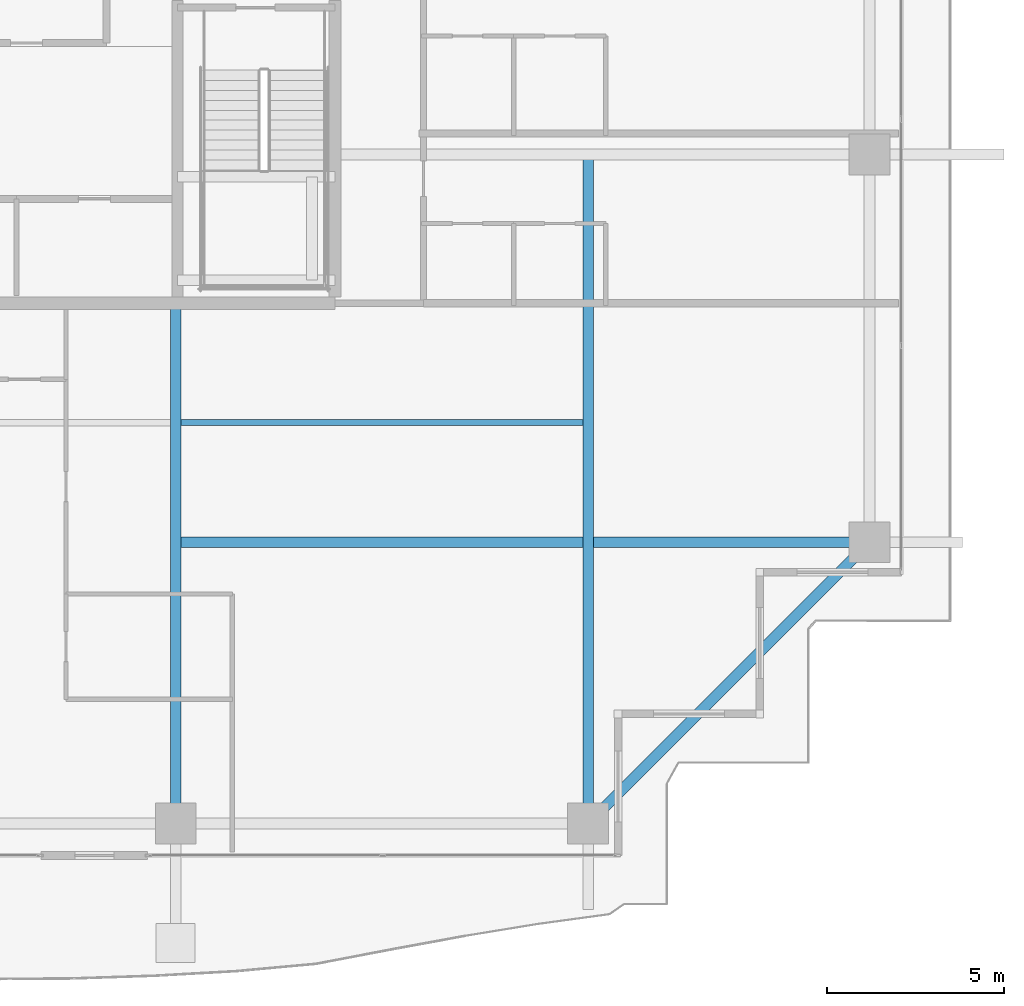
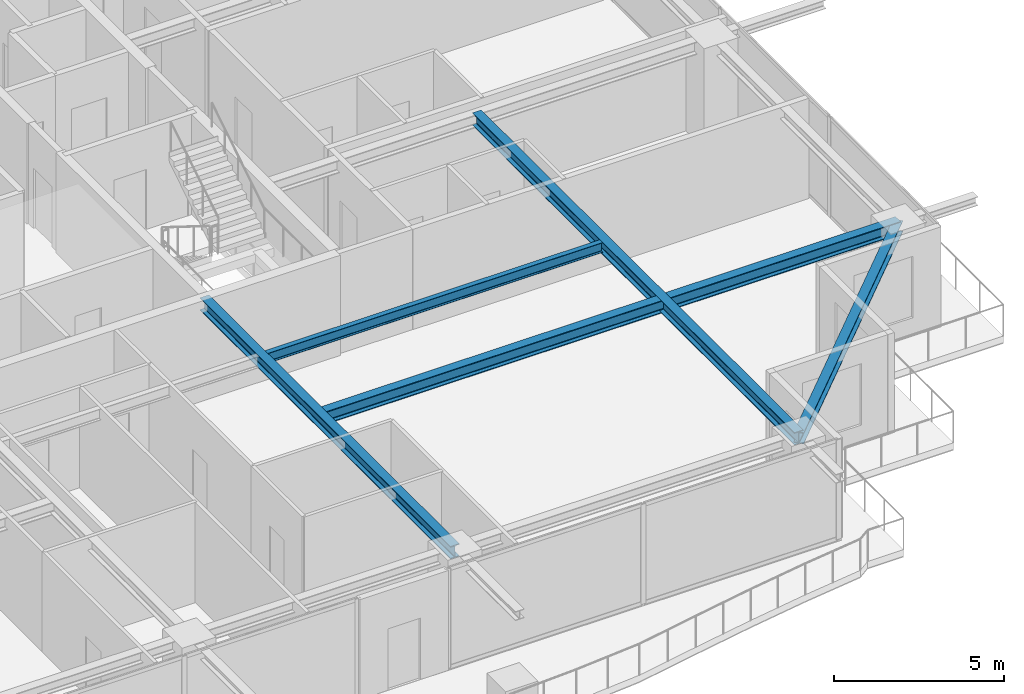
# One storey, part 13 of 36: 5 beams.
"""IFC4 building model written with IfcOpenShell, lengths in metres."""

import ifcopenshell
import ifcopenshell.guid

model = None  # the IFC model being written
_history = None  # IfcOwnerHistory: only IFC2X3 demands one
_inside = {}  # id of a spatial element -> (the spatial element, [elements in it])
_under = {}  # id of a project, library or spatial element -> (it, [spatial elements below it])
_declared = {}  # id of a project -> (the project, [libraries it declares])
_typed = {}  # id of a type object -> (the type object, [elements of that type])
_made_of = {}  # id of a material, layer set ... -> (it, [elements and type objects made of it])


def new_model(schema):
    """Start an empty IFC model of exactly this schema.

    Asked for "IFC4X3", IfcOpenShell would pick the latest addendum, in which some entities
    have other attributes; the version numbers below select the first issue.
    IFC2X3 requires an IfcOwnerHistory on every rooted entity: one is made here for all.
    """
    global model, _history
    if schema == "IFC4X3":
        model = ifcopenshell.file(schema_version=(4, 3, 0, 0))
    else:
        model = ifcopenshell.file(schema=schema)
    _inside.clear()
    _under.clear()
    _declared.clear()
    _typed.clear()
    _made_of.clear()
    _history = None
    if model.schema == "IFC2X3":
        org = make("IfcOrganization", Name="unknown")
        user = make(
            "IfcPersonAndOrganization",
            ThePerson=make("IfcPerson", FamilyName="unknown"),
            TheOrganization=org,
        )
        app = make(
            "IfcApplication",
            ApplicationDeveloper=org,
            Version="unknown",
            ApplicationFullName="unknown",
            ApplicationIdentifier="unknown",
        )
        _history = make(
            "IfcOwnerHistory",
            OwningUser=user,
            OwningApplication=app,
            ChangeAction="ADDED",
            CreationDate=0,
        )
    return model


def make(cls, **values):
    """One entity of the class cls with the attributes given. An attribute that is None is left unset."""
    return model.create_entity(
        cls, **{name: value for name, value in values.items() if value is not None}
    )


def rooted(cls, **values):
    """An entity with a GlobalId (a new one), such as an element, a storey or a relation."""
    return make(cls, GlobalId=ifcopenshell.guid.new(), OwnerHistory=_history, **values)


def si_unit(unit_type, name, prefix=None):
    """IfcSIUnit, for example si_unit("LENGTHUNIT", "METRE", prefix="MILLI")."""
    return make("IfcSIUnit", UnitType=unit_type, Prefix=prefix, Name=name)


def assignment(units):
    """IfcUnitAssignment: the units of a project."""
    return None if units is None else make("IfcUnitAssignment", Units=units)


def point(xyz):
    """IfcCartesianPoint."""
    return None if xyz is None else make("IfcCartesianPoint", Coordinates=xyz)


def direction(xyz):
    """IfcDirection."""
    return None if xyz is None else make("IfcDirection", DirectionRatios=xyz)


def frame(location, z_axis=None, x_axis=None):
    """IfcAxis2Placement3D, a coordinate frame: its origin and axes. An axis left out is left unset."""
    return make(
        "IfcAxis2Placement3D",
        Location=point(location),
        Axis=direction(z_axis),
        RefDirection=direction(x_axis),
    )


def frame_2d(location, x_axis=None):
    """IfcAxis2Placement2D, a coordinate frame in the plane: its origin and x axis."""
    return make(
        "IfcAxis2Placement2D", Location=point(location), RefDirection=direction(x_axis)
    )


def origin():
    """The frame at (0, 0, 0) with its axes left unset."""
    return frame((0.0, 0.0, 0.0))


def origin_2d():
    """The frame at (0, 0) in the plane with its x axis left unset."""
    return frame_2d((0.0, 0.0))


def place(relative_to, where):
    """IfcLocalPlacement: puts the frame where relative to a parent placement (None: the world)."""
    return make(
        "IfcLocalPlacement", PlacementRelTo=relative_to, RelativePlacement=where
    )


def context(
    kind, dimensions, precision=None, world=None, true_north=None, identifier=None
):
    """IfcGeometricRepresentationContext, for example the 3D "Model" context."""
    return make(
        "IfcGeometricRepresentationContext",
        ContextIdentifier=identifier,
        ContextType=kind,
        CoordinateSpaceDimension=dimensions,
        Precision=precision,
        WorldCoordinateSystem=world,
        TrueNorth=true_north,
    )


def subcontext(parent, identifier, kind, view, scale=None):
    """IfcGeometricRepresentationSubContext, for example "Body" below "Model"."""
    return make(
        "IfcGeometricRepresentationSubContext",
        ContextIdentifier=identifier,
        ContextType=kind,
        ParentContext=parent,
        TargetScale=scale,
        TargetView=view,
    )


def project(units=None, contexts=None):
    """IfcProject with its units and contexts."""
    return rooted(
        "IfcProject",
        Name="project",
        RepresentationContexts=contexts,
        UnitsInContext=assignment(units),
    )


def spatial(cls, under=None, at=None, **own):
    """A site, building, storey or space (cls), placed at a placement, below another one or the project."""
    s = rooted(cls, ObjectPlacement=at, **own)
    if under is not None:
        _under.setdefault(under.id(), (under, []))[1].append(s)
    return s


def profile(cls, at=None, kind="AREA", **sizes):
    """A parametric profile (cls). Its sizes go by their IFC names, for example OverallWidth=200.0."""
    return make(cls, ProfileType=kind, Position=at, **sizes)


def i_section(**sizes):
    """IfcIShapeProfileDef."""
    return profile("IfcIShapeProfileDef", **sizes)


def extrude(swept, where, along, depth):
    """IfcExtrudedAreaSolid: the profile swept, set in the frame where, extruded along a direction by depth."""
    return make(
        "IfcExtrudedAreaSolid",
        SweptArea=swept,
        Position=where,
        ExtrudedDirection=direction(along),
        Depth=depth,
    )


def shape(context_of_items, identifier, shape_type, items):
    """IfcShapeRepresentation: the items that make up one representation, for example the "Body"."""
    return make(
        "IfcShapeRepresentation",
        ContextOfItems=context_of_items,
        RepresentationIdentifier=identifier,
        RepresentationType=shape_type,
        Items=items,
    )


def source(mapping_origin, context_of_items, identifier, shape_type, items):
    """IfcRepresentationMap: a shape defined once, which mapped items show again and again."""
    return make(
        "IfcRepresentationMap",
        MappingOrigin=mapping_origin,
        MappedRepresentation=shape(context_of_items, identifier, shape_type, items),
    )


def transform(
    local_origin,
    x_axis=None,
    y_axis=None,
    z_axis=None,
    scale=None,
    scale2=None,
    scale3=None,
    uniform=True,
):
    """IfcCartesianTransformationOperator3D, or its non-uniform kind. x_axis, y_axis, z_axis: its Axis1, 2, 3."""
    if uniform:
        return make(
            "IfcCartesianTransformationOperator3D",
            Axis1=direction(x_axis),
            Axis2=direction(y_axis),
            LocalOrigin=point(local_origin),
            Scale=scale,
            Axis3=direction(z_axis),
        )
    return make(
        "IfcCartesianTransformationOperator3DnonUniform",
        Axis1=direction(x_axis),
        Axis2=direction(y_axis),
        LocalOrigin=point(local_origin),
        Scale=scale,
        Axis3=direction(z_axis),
        Scale2=scale2,
        Scale3=scale3,
    )


def mapped(mapping_source, mapping_target):
    """IfcMappedItem: shows the shape of a source again, moved by a transform."""
    return make(
        "IfcMappedItem", MappingSource=mapping_source, MappingTarget=mapping_target
    )


def material(Name=None, Category=None):
    """IfcMaterial."""
    return make("IfcMaterial", Name=Name, Category=Category)


def material_profile(
    of_material, cross_section, Name=None, Category=None, Priority=None
):
    """IfcMaterialProfile: a cross section and its material."""
    return make(
        "IfcMaterialProfile",
        Name=Name,
        Material=of_material,
        Profile=cross_section,
        Priority=Priority,
        Category=Category,
    )


def profile_set(profiles, Name=None, composite=None):
    """IfcMaterialProfileSet."""
    return make(
        "IfcMaterialProfileSet",
        Name=Name,
        MaterialProfiles=profiles,
        CompositeProfile=composite,
    )


def made_of(thing, what):
    """Note that an element or type object is made of a material, layer set ...; save() writes the relation."""
    if what is not None:
        _made_of.setdefault(what.id(), (what, []))[1].append(thing)
    return thing


def type_object(cls, material=None, **own):
    """A type object (cls), such as IfcWallType, which elements share."""
    return made_of(rooted(cls, **own), material)


def element(
    cls,
    number,
    at=None,
    inside=None,
    cuts=None,
    type_object=None,
    material=None,
    context=None,
    identifier="Body",
    shape_type=None,
    held_by="IfcProductDefinitionShape",
    body=None,
    shapes=None,
    **own,
):
    """One element of the class cls, such as IfcWall. Its Tag is "e" and its number.

    at: its placement. inside: the storey or other place that contains it. cuts: it is an
    opening in that element (IfcRelVoidsElement). A single representation is given by context,
    identifier, shape_type and body (its items); several are given by shapes. held_by: the class
    of the entity that holds the representations. save() writes the other relations.
    """
    e = rooted(cls, Tag="e%d" % number, ObjectPlacement=at, **own)
    if body is not None:
        shapes = [shape(context, identifier, shape_type, body)]
    if shapes is not None:
        e.Representation = make(held_by, Representations=shapes)
    if inside is not None:
        _inside.setdefault(inside.id(), (inside, []))[1].append(e)
    if cuts is not None:
        rooted(
            "IfcRelVoidsElement", RelatingBuildingElement=cuts, RelatedOpeningElement=e
        )
    if type_object is not None:
        _typed.setdefault(type_object.id(), (type_object, []))[1].append(e)
    return made_of(e, material)


def aggregate(whole, parts):
    """IfcRelAggregates: a whole, such as a stair, and the parts it consists of."""
    return rooted("IfcRelAggregates", RelatingObject=whole, RelatedObjects=parts)


def save(model, path):
    """Write the relations noted so far, then the file.

    IfcRelAggregates (storeys below a building ...), IfcRelContainedInSpatialStructure (elements
    in a storey), IfcRelDefinesByType, IfcRelAssociatesMaterial and IfcRelDeclares: one each for
    every whole, place, type object, material and project.
    """
    for whole, parts in _under.values():
        aggregate(whole, parts)
    for where, things in _inside.values():
        rooted(
            "IfcRelContainedInSpatialStructure",
            RelatedElements=things,
            RelatingStructure=where,
        )
    for kind, things in _typed.values():
        rooted("IfcRelDefinesByType", RelatedObjects=things, RelatingType=kind)
    for what, things in _made_of.values():
        rooted("IfcRelAssociatesMaterial", RelatedObjects=things, RelatingMaterial=what)
    for by, libraries in _declared.values():
        rooted("IfcRelDeclares", RelatingContext=by, RelatedDefinitions=libraries)
    model.write(path)


model = new_model("IFC4")

# Units and contexts
model_context = context("Model", 3, precision=1e-05, world=origin(), true_north=direction((0.0, 1.0)))
body_context = subcontext(model_context, "Body", "Model", "MODEL_VIEW")
ifc_project = project(units=[si_unit("LENGTHUNIT", "METRE"), si_unit("AREAUNIT", "SQUARE_METRE"), si_unit("VOLUMEUNIT", "CUBIC_METRE"), si_unit("PLANEANGLEUNIT", "RADIAN"), si_unit("MASSUNIT", "GRAM", prefix="KILO")], contexts=[model_context])

# Site, building, storey
site_placement = place(None, origin())
site = spatial("IfcSite", under=ifc_project, at=site_placement, CompositionType="ELEMENT")
building_placement = place(site_placement, origin())
building = spatial("IfcBuilding", under=site, at=building_placement, Name="Serunith Strait Residences", CompositionType="ELEMENT")
storey_placement = place(building_placement, frame((0.0, 0.0, 256.64990234375)))
storey = spatial("IfcBuildingStorey", under=building, at=storey_placement, Name="L64", CompositionType="ELEMENT", Elevation=256.64990234375)

# Beams
ifc_material = material(Name="Steel S355J2", Category="steel")
ifc_material_profile_1 = material_profile(ifc_material, i_section(OverallWidth=0.300048828125, OverallDepth=0.449951171875, WebThickness=0.013916015625, FlangeThickness=0.02587890625, FilletRadius=0.027099609375, at=origin_2d()), Name="HEB 450")
ifc_profile_set_1 = profile_set([ifc_material_profile_1], Name="Steel S355J2")
beam_type_1 = type_object("IfcBeamType", Name="BM-HEB450", PredefinedType="BEAM", material=ifc_profile_set_1)
shared_shape_1 = source(origin(), body_context, "Body", "SweptSolid", [
    extrude(i_section(OverallWidth=0.300048828125, OverallDepth=0.449951171875, WebThickness=0.013916015625, FlangeThickness=0.02587890625, FilletRadius=0.027099609375, at=origin_2d()), origin(), (0.0, 0.0, 1.0), 14.699951171875),
])
beam_1_placement = place(storey_placement, frame((36.89990234375, 16.800048828125, 3.362060546875), z_axis=(0.0, -1.0, 0.0), x_axis=(1.0, 0.0, 0.0)))
element("IfcBeam", 1, at=beam_1_placement, inside=storey, type_object=beam_type_1, Name="L64 Primary Floor Girder TC-S3", PredefinedType="BEAM", context=body_context, shape_type="MappedRepresentation", body=[
    mapped(shared_shape_1, transform((0.0, 0.0, 0.0), scale=1.0)),
])
shared_shape_2 = source(origin(), body_context, "Body", "SweptSolid", [
    extrude(i_section(OverallWidth=0.300048828125, OverallDepth=0.449951171875, WebThickness=0.013916015625, FlangeThickness=0.02587890625, FilletRadius=0.027099609375, at=origin_2d()), origin(), (0.0, 0.0, 1.0), 18.89990234375),
])
beam_2_placement = place(storey_placement, frame((48.550048828125, 21.0, 3.362060546875), z_axis=(0.0, -1.0, 0.0), x_axis=(1.0, 0.0, 0.0)))
element("IfcBeam", 2, at=beam_2_placement, inside=storey, type_object=beam_type_1, Name="L64 Orthogonal Corner Girder TC-S4", PredefinedType="BEAM", context=body_context, shape_type="MappedRepresentation", body=[
    mapped(shared_shape_2, transform((0.0, 0.0, 0.0), scale=1.0)),
])
shared_shape_3 = source(origin(), body_context, "Body", "SweptSolid", [
    extrude(i_section(OverallWidth=0.300048828125, OverallDepth=0.449951171875, WebThickness=0.013916015625, FlangeThickness=0.02587890625, FilletRadius=0.027099609375, at=origin_2d()), origin(), (0.0, 0.0, 1.0), 19.60009765625),
])
beam_3_placement = place(storey_placement, frame((36.89990234375, 10.050048828125, 3.362060546875), z_axis=(1.0, 0.0, 0.0), x_axis=(0.0, 1.0, 0.0)))
element("IfcBeam", 3, at=beam_3_placement, inside=storey, type_object=beam_type_1, Name="L64 Orthogonal Corner Girder TC-E1", PredefinedType="BEAM", context=body_context, shape_type="MappedRepresentation", body=[
    mapped(shared_shape_3, transform((0.0, 0.0, 0.0), scale=1.0)),
])
ifc_material_profile_2 = material_profile(ifc_material, i_section(OverallWidth=0.300048828125, OverallDepth=0.39990234375, WebThickness=0.013427734375, FlangeThickness=0.02392578125, FilletRadius=0.027099609375, at=origin_2d()), Name="HEB 400")
ifc_profile_set_2 = profile_set([ifc_material_profile_2], Name="Steel S355J2")
beam_type_2 = type_object("IfcBeamType", Name="BM-HEB400", PredefinedType="BEAM", material=ifc_profile_set_2)
shared_shape_4 = source(origin(), body_context, "Body", "SweptSolid", [
    extrude(i_section(OverallWidth=0.300048828125, OverallDepth=0.39990234375, WebThickness=0.013427734375, FlangeThickness=0.02392578125, FilletRadius=0.027099609375, at=origin_2d()), origin(), (0.0, 0.0, 1.0), 11.242919921875),
])
beam_4_placement = place(storey_placement, frame((48.550048828125, 2.10009765625, 3.357177734375), z_axis=(0.707106781187, 0.707106781187, 0.0), x_axis=(-0.707106781187, 0.707106781187, 0.0)))
element("IfcBeam", 4, at=beam_4_placement, inside=storey, type_object=beam_type_2, Name="L64 Perimeter Ring Beam 04", PredefinedType="BEAM", context=body_context, shape_type="MappedRepresentation", body=[
    mapped(shared_shape_4, transform((0.0, 0.0, 0.0), scale=1.0)),
])
ifc_material_profile_3 = material_profile(ifc_material, i_section(OverallWidth=0.169921875, OverallDepth=0.360107421875, WebThickness=0.008056640625, FlangeThickness=0.0126953125, FilletRadius=0.01806640625, at=origin_2d()), Name="IPE 360")
ifc_profile_set_3 = profile_set([ifc_material_profile_3], Name="Steel S355J2")
beam_type_3 = type_object("IfcBeamType", Name="BM-IPE360", PredefinedType="JOIST", material=ifc_profile_set_3)
shared_shape_5 = source(origin(), body_context, "Body", "SweptSolid", [
    extrude(i_section(OverallWidth=0.169921875, OverallDepth=0.360107421875, WebThickness=0.008056640625, FlangeThickness=0.0126953125, FilletRadius=0.01806640625, at=origin_2d()), origin(), (0.0, 0.0, 1.0), 11.349853515625),
])
beam_5_placement = place(storey_placement, frame((37.050048828125, 13.425048828125, 3.406982421875), z_axis=(1.0, 0.0, 0.0), x_axis=(0.0, 1.0, 0.0)))
element("IfcBeam", 5, at=beam_5_placement, inside=storey, type_object=beam_type_3, Name="L64 Composite Floor Joist 03", PredefinedType="JOIST", context=body_context, shape_type="MappedRepresentation", body=[
    mapped(shared_shape_5, transform((0.0, 0.0, 0.0), scale=1.0)),
])

save(model, "model.ifc")
